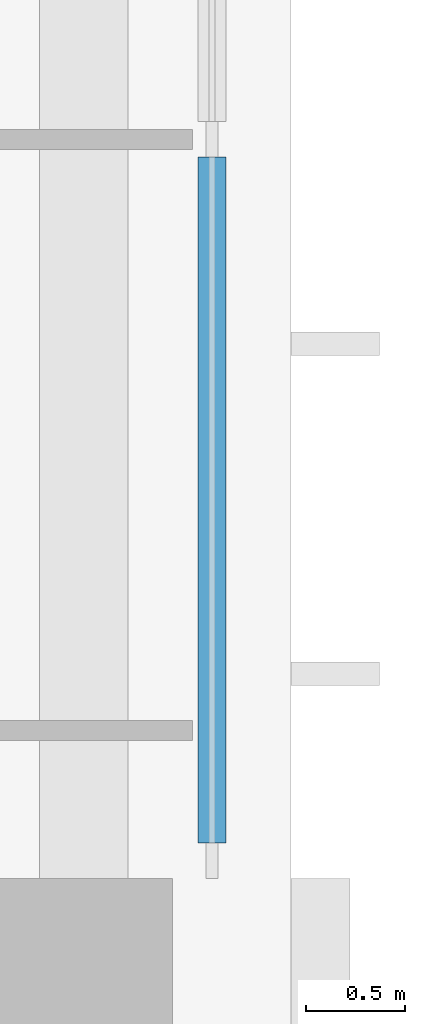
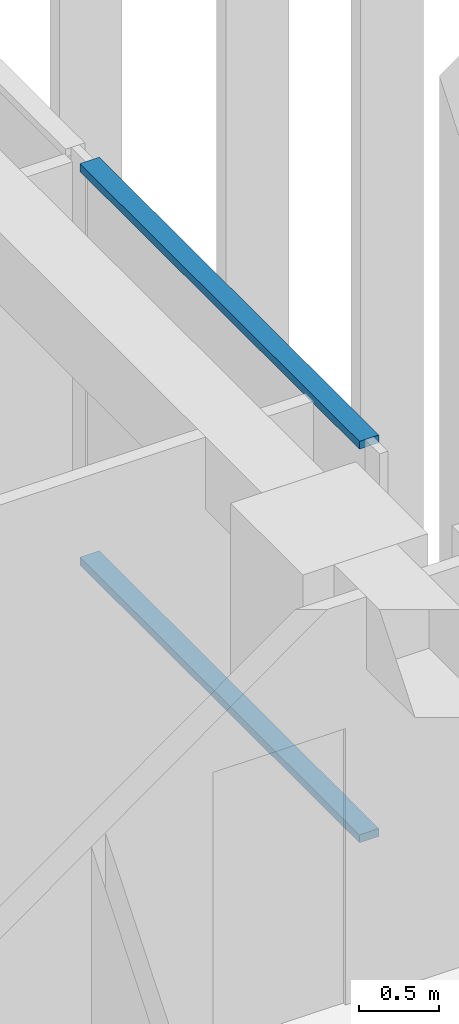
# One storey, part 5 of 20: 2 members, 1 element without a shape of its own.
"""IFC4 building model written with IfcOpenShell, lengths in metres."""

import ifcopenshell
import ifcopenshell.guid

model = None  # the IFC model being written
_history = None  # IfcOwnerHistory: only IFC2X3 demands one
_inside = {}  # id of a spatial element -> (the spatial element, [elements in it])
_under = {}  # id of a project, library or spatial element -> (it, [spatial elements below it])
_declared = {}  # id of a project -> (the project, [libraries it declares])
_typed = {}  # id of a type object -> (the type object, [elements of that type])
_made_of = {}  # id of a material, layer set ... -> (it, [elements and type objects made of it])


def new_model(schema):
    """Start an empty IFC model of exactly this schema.

    Asked for "IFC4X3", IfcOpenShell would pick the latest addendum, in which some entities
    have other attributes; the version numbers below select the first issue.
    IFC2X3 requires an IfcOwnerHistory on every rooted entity: one is made here for all.
    """
    global model, _history
    if schema == "IFC4X3":
        model = ifcopenshell.file(schema_version=(4, 3, 0, 0))
    else:
        model = ifcopenshell.file(schema=schema)
    _inside.clear()
    _under.clear()
    _declared.clear()
    _typed.clear()
    _made_of.clear()
    _history = None
    if model.schema == "IFC2X3":
        org = make("IfcOrganization", Name="unknown")
        user = make(
            "IfcPersonAndOrganization",
            ThePerson=make("IfcPerson", FamilyName="unknown"),
            TheOrganization=org,
        )
        app = make(
            "IfcApplication",
            ApplicationDeveloper=org,
            Version="unknown",
            ApplicationFullName="unknown",
            ApplicationIdentifier="unknown",
        )
        _history = make(
            "IfcOwnerHistory",
            OwningUser=user,
            OwningApplication=app,
            ChangeAction="ADDED",
            CreationDate=0,
        )
    return model


def make(cls, **values):
    """One entity of the class cls with the attributes given. An attribute that is None is left unset."""
    return model.create_entity(
        cls, **{name: value for name, value in values.items() if value is not None}
    )


def rooted(cls, **values):
    """An entity with a GlobalId (a new one), such as an element, a storey or a relation."""
    return make(cls, GlobalId=ifcopenshell.guid.new(), OwnerHistory=_history, **values)


def si_unit(unit_type, name, prefix=None):
    """IfcSIUnit, for example si_unit("LENGTHUNIT", "METRE", prefix="MILLI")."""
    return make("IfcSIUnit", UnitType=unit_type, Prefix=prefix, Name=name)


def assignment(units):
    """IfcUnitAssignment: the units of a project."""
    return None if units is None else make("IfcUnitAssignment", Units=units)


def point(xyz):
    """IfcCartesianPoint."""
    return None if xyz is None else make("IfcCartesianPoint", Coordinates=xyz)


def direction(xyz):
    """IfcDirection."""
    return None if xyz is None else make("IfcDirection", DirectionRatios=xyz)


def frame(location, z_axis=None, x_axis=None):
    """IfcAxis2Placement3D, a coordinate frame: its origin and axes. An axis left out is left unset."""
    return make(
        "IfcAxis2Placement3D",
        Location=point(location),
        Axis=direction(z_axis),
        RefDirection=direction(x_axis),
    )


def frame_2d(location, x_axis=None):
    """IfcAxis2Placement2D, a coordinate frame in the plane: its origin and x axis."""
    return make(
        "IfcAxis2Placement2D", Location=point(location), RefDirection=direction(x_axis)
    )


def origin():
    """The frame at (0, 0, 0) with its axes left unset."""
    return frame((0.0, 0.0, 0.0))


def origin_2d():
    """The frame at (0, 0) in the plane with its x axis left unset."""
    return frame_2d((0.0, 0.0))


def place(relative_to, where):
    """IfcLocalPlacement: puts the frame where relative to a parent placement (None: the world)."""
    return make(
        "IfcLocalPlacement", PlacementRelTo=relative_to, RelativePlacement=where
    )


def context(
    kind, dimensions, precision=None, world=None, true_north=None, identifier=None
):
    """IfcGeometricRepresentationContext, for example the 3D "Model" context."""
    return make(
        "IfcGeometricRepresentationContext",
        ContextIdentifier=identifier,
        ContextType=kind,
        CoordinateSpaceDimension=dimensions,
        Precision=precision,
        WorldCoordinateSystem=world,
        TrueNorth=true_north,
    )


def subcontext(parent, identifier, kind, view, scale=None):
    """IfcGeometricRepresentationSubContext, for example "Body" below "Model"."""
    return make(
        "IfcGeometricRepresentationSubContext",
        ContextIdentifier=identifier,
        ContextType=kind,
        ParentContext=parent,
        TargetScale=scale,
        TargetView=view,
    )


def project(units=None, contexts=None):
    """IfcProject with its units and contexts."""
    return rooted(
        "IfcProject",
        Name="project",
        RepresentationContexts=contexts,
        UnitsInContext=assignment(units),
    )


def spatial(cls, under=None, at=None, **own):
    """A site, building, storey or space (cls), placed at a placement, below another one or the project."""
    s = rooted(cls, ObjectPlacement=at, **own)
    if under is not None:
        _under.setdefault(under.id(), (under, []))[1].append(s)
    return s


def profile(cls, at=None, kind="AREA", **sizes):
    """A parametric profile (cls). Its sizes go by their IFC names, for example OverallWidth=200.0."""
    return make(cls, ProfileType=kind, Position=at, **sizes)


def rectangle(**sizes):
    """IfcRectangleProfileDef."""
    return profile("IfcRectangleProfileDef", **sizes)


def extrude(swept, where, along, depth):
    """IfcExtrudedAreaSolid: the profile swept, set in the frame where, extruded along a direction by depth."""
    return make(
        "IfcExtrudedAreaSolid",
        SweptArea=swept,
        Position=where,
        ExtrudedDirection=direction(along),
        Depth=depth,
    )


def shape(context_of_items, identifier, shape_type, items):
    """IfcShapeRepresentation: the items that make up one representation, for example the "Body"."""
    return make(
        "IfcShapeRepresentation",
        ContextOfItems=context_of_items,
        RepresentationIdentifier=identifier,
        RepresentationType=shape_type,
        Items=items,
    )


def material(Name=None, Category=None):
    """IfcMaterial."""
    return make("IfcMaterial", Name=Name, Category=Category)


def material_profile(
    of_material, cross_section, Name=None, Category=None, Priority=None
):
    """IfcMaterialProfile: a cross section and its material."""
    return make(
        "IfcMaterialProfile",
        Name=Name,
        Material=of_material,
        Profile=cross_section,
        Priority=Priority,
        Category=Category,
    )


def profile_set(profiles, Name=None, composite=None):
    """IfcMaterialProfileSet."""
    return make(
        "IfcMaterialProfileSet",
        Name=Name,
        MaterialProfiles=profiles,
        CompositeProfile=composite,
    )


def made_of(thing, what):
    """Note that an element or type object is made of a material, layer set ...; save() writes the relation."""
    if what is not None:
        _made_of.setdefault(what.id(), (what, []))[1].append(thing)
    return thing


def type_object(cls, material=None, **own):
    """A type object (cls), such as IfcWallType, which elements share."""
    return made_of(rooted(cls, **own), material)


def element(
    cls,
    number,
    at=None,
    inside=None,
    cuts=None,
    type_object=None,
    material=None,
    context=None,
    identifier="Body",
    shape_type=None,
    held_by="IfcProductDefinitionShape",
    body=None,
    shapes=None,
    **own,
):
    """One element of the class cls, such as IfcWall. Its Tag is "e" and its number.

    at: its placement. inside: the storey or other place that contains it. cuts: it is an
    opening in that element (IfcRelVoidsElement). A single representation is given by context,
    identifier, shape_type and body (its items); several are given by shapes. held_by: the class
    of the entity that holds the representations. save() writes the other relations.
    """
    e = rooted(cls, Tag="e%d" % number, ObjectPlacement=at, **own)
    if body is not None:
        shapes = [shape(context, identifier, shape_type, body)]
    if shapes is not None:
        e.Representation = make(held_by, Representations=shapes)
    if inside is not None:
        _inside.setdefault(inside.id(), (inside, []))[1].append(e)
    if cuts is not None:
        rooted(
            "IfcRelVoidsElement", RelatingBuildingElement=cuts, RelatedOpeningElement=e
        )
    if type_object is not None:
        _typed.setdefault(type_object.id(), (type_object, []))[1].append(e)
    return made_of(e, material)


def aggregate(whole, parts):
    """IfcRelAggregates: a whole, such as a stair, and the parts it consists of."""
    return rooted("IfcRelAggregates", RelatingObject=whole, RelatedObjects=parts)


def save(model, path):
    """Write the relations noted so far, then the file.

    IfcRelAggregates (storeys below a building ...), IfcRelContainedInSpatialStructure (elements
    in a storey), IfcRelDefinesByType, IfcRelAssociatesMaterial and IfcRelDeclares: one each for
    every whole, place, type object, material and project.
    """
    for whole, parts in _under.values():
        aggregate(whole, parts)
    for where, things in _inside.values():
        rooted(
            "IfcRelContainedInSpatialStructure",
            RelatedElements=things,
            RelatingStructure=where,
        )
    for kind, things in _typed.values():
        rooted("IfcRelDefinesByType", RelatedObjects=things, RelatingType=kind)
    for what, things in _made_of.values():
        rooted("IfcRelAssociatesMaterial", RelatedObjects=things, RelatingMaterial=what)
    for by, libraries in _declared.values():
        rooted("IfcRelDeclares", RelatingContext=by, RelatedDefinitions=libraries)
    model.write(path)


model = new_model("IFC4")

# Units and contexts
model_context = context("Model", 3, precision=1e-05, world=origin(), true_north=direction((0.0, 1.0)))
body_context = subcontext(model_context, "Body", "Model", "MODEL_VIEW")
ifc_project = project(units=[si_unit("LENGTHUNIT", "METRE"), si_unit("AREAUNIT", "SQUARE_METRE"), si_unit("VOLUMEUNIT", "CUBIC_METRE"), si_unit("PLANEANGLEUNIT", "RADIAN"), si_unit("MASSUNIT", "GRAM", prefix="KILO")], contexts=[model_context])

# Site, building, storey
site_placement = place(None, origin())
site = spatial("IfcSite", under=ifc_project, at=site_placement, CompositionType="ELEMENT")
building_placement = place(site_placement, origin())
building = spatial("IfcBuilding", under=site, at=building_placement, Name="Vermilion Ogive Tower", CompositionType="ELEMENT")
storey_placement = place(building_placement, frame((0.0, 0.0, 223.449951171875)))
storey = spatial("IfcBuildingStorey", under=building, at=storey_placement, Name="L58", CompositionType="ELEMENT", Elevation=223.449951171875)

# Curtain wall, members
ifc_material_1 = material(Name="Low-iron laminated glazing in aluminium frame", Category="aluminium")
curtain_wall_type = type_object("IfcCurtainWallType", Name="Curtain wall CW7", PredefinedType="NOTDEFINED", material=ifc_material_1)
curtain_wall_placement = place(storey_placement, origin())
curtain_wall = element("IfcCurtainWall", 1, at=curtain_wall_placement, inside=storey, type_object=curtain_wall_type, Name="Glazed skin E3", PredefinedType="NOTDEFINED")
ifc_material_2 = material(Name="Aluminium transom", Category="aluminium")
ifc_material_profile = material_profile(ifc_material_2, rectangle(XDim=0.139892578125, YDim=0.06005859375, at=origin_2d()), Name="AL 60x140")
ifc_profile_set = profile_set([ifc_material_profile], Name="Aluminium transom")
member_type = type_object("IfcMemberType", Name="CW7 transom 60x140", PredefinedType="USERDEFINED", material=ifc_profile_set)
member_1_placement = place(storey_placement, frame((25.85009765625, 4.830078125, 0.030029296875), z_axis=(0.0, 1.0, 0.0), x_axis=(-1.0, 0.0, 0.0)))
member_1 = element("IfcMember", 2, at=member_1_placement, type_object=member_type, Name="CW7-E3 transom 1.1", ObjectType="TRANSOM", PredefinedType="USERDEFINED", context=body_context, shape_type="SweptSolid", body=[
    extrude(rectangle(XDim=0.139892578125, YDim=0.06005859375, at=origin_2d()), origin(), (0.0, 0.0, 1.0), 3.47998046875),
])
member_2_placement = place(storey_placement, frame((25.85009765625, 4.830078125, 3.02001953125), z_axis=(0.0, 1.0, 0.0), x_axis=(-1.0, 0.0, 0.0)))
member_2 = element("IfcMember", 3, at=member_2_placement, type_object=member_type, Name="CW7-E3 transom 1.2", ObjectType="TRANSOM", PredefinedType="USERDEFINED", context=body_context, shape_type="SweptSolid", body=[
    extrude(rectangle(XDim=0.139892578125, YDim=0.06005859375, at=origin_2d()), origin(), (0.0, 0.0, 1.0), 3.47998046875),
])
aggregate(curtain_wall, [member_1, member_2])

save(model, "model.ifc")
